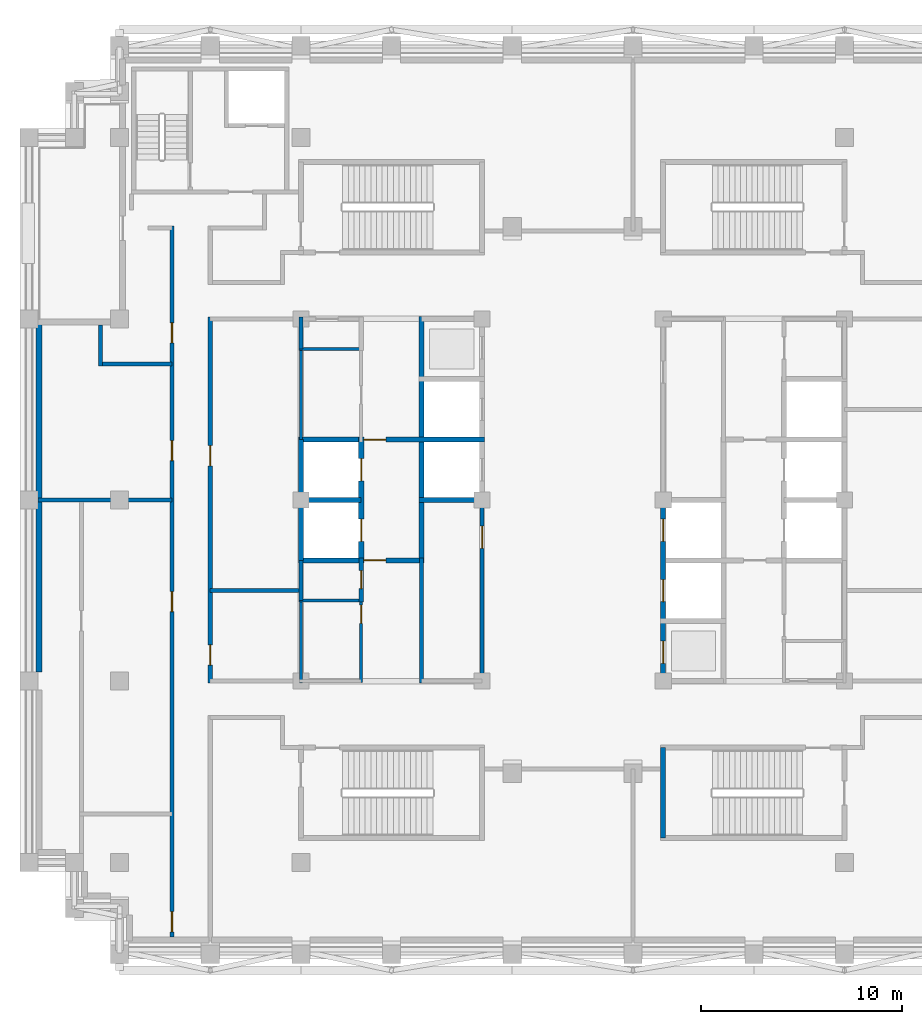
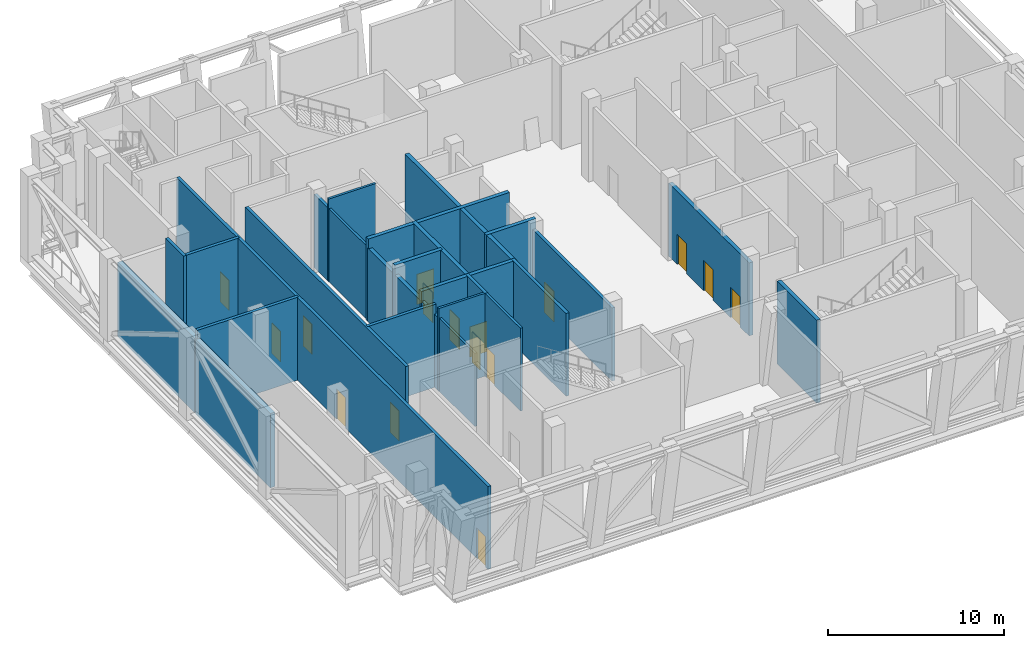
# One storey, part 4 of 11: 27 walls, 16 doors, 16 openings.
"""IFC4 building model written with IfcOpenShell, lengths in metres."""

from ifc_helpers import new_model, si_unit, direction, frame, frame_2d, origin, place, context, subcontext, project, spatial, rectangle, extrude, material, layer, layer_set, type_object, element, fill, save


model = new_model("IFC4")

# Units and contexts
model_context = context("Model", 3, precision=1e-05, world=origin(), true_north=direction((0.0, 1.0)))
body_context = subcontext(model_context, "Body", "Model", "MODEL_VIEW")
ifc_project = project(units=[si_unit("LENGTHUNIT", "METRE"), si_unit("AREAUNIT", "SQUARE_METRE"), si_unit("VOLUMEUNIT", "CUBIC_METRE"), si_unit("PLANEANGLEUNIT", "RADIAN"), si_unit("MASSUNIT", "GRAM", prefix="KILO")], contexts=[model_context])

# Site, building, storey
site_placement = place(None, origin())
site = spatial("IfcSite", under=ifc_project, at=site_placement, CompositionType="ELEMENT")
building_placement = place(site_placement, origin())
building = spatial("IfcBuilding", under=site, at=building_placement, Name="Corbelhall Arena Tower", CompositionType="ELEMENT")
storey_placement = place(building_placement, frame((0.0, 0.0, 294.0)))
storey = spatial("IfcBuildingStorey", under=building, at=storey_placement, Name="L64", CompositionType="ELEMENT", Elevation=294.0)

# Walls
ifc_material_1 = material(Name="Precast concrete C40/50 with granite facing", Category="masonry")
ifc_layer_1 = layer(ifc_material_1, 0.300048828125)
ifc_layer_set_1 = layer_set([ifc_layer_1], Name="EV-IW1 Infill panel 300")
wall_type_1 = type_object("IfcWallType", Name="EV-IW1 Infill panel 300", PredefinedType="SOLIDWALL", material=ifc_layer_set_1)
wall_1_placement = place(storey_placement, frame((-26.5, 8.75, 0.0), z_axis=(0.0, 0.0, 1.0), x_axis=(0.0, -1.0, 0.0)))
element("IfcWall", 1, at=wall_1_placement, inside=storey, type_object=wall_type_1, Name="Infill panel IW1", PredefinedType="SOLIDWALL", context=body_context, shape_type="SweptSolid", body=[
    extrude(rectangle(XDim=8.699951171875, YDim=0.300048828125, at=frame_2d((4.35009765625, 0.0))), origin(), (0.0, 0.0, 1.0), 5.139892578125),
])
wall_2_placement = place(storey_placement, frame((-26.5, -0.050048828125, 0.0), z_axis=(0.0, 0.0, 1.0), x_axis=(0.0, -1.0, 0.0)))
element("IfcWall", 2, at=wall_2_placement, inside=storey, type_object=wall_type_1, Name="Infill panel IW1", PredefinedType="SOLIDWALL", context=body_context, shape_type="SweptSolid", body=[
    extrude(rectangle(XDim=8.5, YDim=0.300048828125, at=frame_2d((4.25, 0.0))), origin(), (0.0, 0.0, 1.0), 5.139892578125),
])
ifc_material_2 = material(Name="Gypsum board on steel stud, acoustic", Category="steel")
ifc_layer_2 = layer(ifc_material_2, 0.199951171875)
ifc_layer_set_2 = layer_set([ifc_layer_2], Name="IN-W-DM200")
wall_type_2 = type_object("IfcWallType", Name="IN-W-DM200", PredefinedType="PARTITIONING", material=ifc_layer_set_2)
wall_3_placement = place(storey_placement, frame((-19.89990234375, 0.0, 0.0), z_axis=(0.0, 0.0, 1.0), x_axis=(-1.0, 0.0, 0.0)))
element("IfcWall", 3, at=wall_3_placement, inside=storey, type_object=wall_type_2, Name="Partition 003", PredefinedType="PARTITIONING", context=body_context, shape_type="SweptSolid", body=[
    extrude(rectangle(XDim=6.650146484375, YDim=0.199951171875, at=frame_2d((3.3251953125, 0.0))), origin(), (0.0, 0.0, 1.0), 5.739990234375),
])
wall_4_placement = place(storey_placement, frame((-23.449951171875, 6.75, 0.0), z_axis=(0.0, 0.0, 1.0), x_axis=(1.0, 0.0, 0.0)))
element("IfcWall", 4, at=wall_4_placement, inside=storey, type_object=wall_type_2, Name="Partition 004", PredefinedType="PARTITIONING", context=body_context, shape_type="SweptSolid", body=[
    extrude(rectangle(XDim=3.550048828125, YDim=0.199951171875, at=frame_2d((1.77490234375, 0.0))), origin(), (0.0, 0.0, 1.0), 5.739990234375),
])
wall_5_placement = place(storey_placement, frame((-23.449951171875, 8.699951171875, 0.0), z_axis=(0.0, 0.0, 1.0), x_axis=(0.0, -1.0, 0.0)))
element("IfcWall", 5, at=wall_5_placement, inside=storey, type_object=wall_type_2, Name="Partition 005", PredefinedType="PARTITIONING", context=body_context, shape_type="SweptSolid", body=[
    extrude(rectangle(XDim=2.050048828125, YDim=0.199951171875, at=frame_2d((1.02490234375, 0.0))), origin(), (0.0, 0.0, 1.0), 5.739990234375),
])

# Wall, openings, doors
wall_6_placement = place(storey_placement, frame((-19.89990234375, -21.699951171875, 0.0), z_axis=(0.0, 0.0, 1.0), x_axis=(0.0, 1.0, 0.0)))
wall_6 = element("IfcWall", 6, at=wall_6_placement, inside=storey, type_object=wall_type_2, Name="Partition 007", PredefinedType="PARTITIONING", context=body_context, shape_type="SweptSolid", body=[
    extrude(rectangle(XDim=35.300048828125, YDim=0.199951171875, at=frame_2d((17.64990234375, 0.0))), origin(), (0.0, 0.0, 1.0), 5.739990234375),
])
opening_1_placement = place(wall_6_placement, frame((23.64990234375, 0.0, 0.0)))
opening_1 = element("IfcOpeningElement", 7, at=opening_1_placement, cuts=wall_6, Name="Opening 29026", PredefinedType="OPENING", context=body_context, shape_type="SweptSolid", body=[
    extrude(rectangle(XDim=1.0, YDim=2.10009765625, at=frame_2d((0.5, 1.050048828125))), frame((0.0, 0.10009765625, 0.0), z_axis=(0.0, -1.0, 0.0), x_axis=(1.0, 0.0, 0.0)), (0.0, 0.0, 1.0), 0.199951171875),
])
opening_2_placement = place(wall_6_placement, frame((29.5, 0.0, 0.0)))
opening_2 = element("IfcOpeningElement", 8, at=opening_2_placement, cuts=wall_6, Name="Opening 29027", PredefinedType="OPENING", context=body_context, shape_type="SweptSolid", body=[
    extrude(rectangle(XDim=1.0, YDim=2.10009765625, at=frame_2d((0.5, 1.050048828125))), frame((0.0, 0.10009765625, 0.0), z_axis=(0.0, -1.0, 0.0), x_axis=(1.0, 0.0, 0.0)), (0.0, 0.0, 1.0), 0.199951171875),
])
opening_3_placement = place(wall_6_placement, frame((0.25, 0.0, 0.0)))
opening_3 = element("IfcOpeningElement", 9, at=opening_3_placement, cuts=wall_6, Name="Opening 29028", PredefinedType="OPENING", context=body_context, shape_type="SweptSolid", body=[
    extrude(rectangle(XDim=1.0, YDim=2.10009765625, at=frame_2d((0.5, 1.050048828125))), frame((0.0, 0.10009765625, 0.0), z_axis=(0.0, -1.0, 0.0), x_axis=(1.0, 0.0, 0.0)), (0.0, 0.0, 1.0), 0.199951171875),
])
opening_4_placement = place(wall_6_placement, frame((16.14990234375, 0.0, 0.0)))
opening_4 = element("IfcOpeningElement", 10, at=opening_4_placement, cuts=wall_6, Name="Opening 29029", PredefinedType="OPENING", context=body_context, shape_type="SweptSolid", body=[
    extrude(rectangle(XDim=1.0, YDim=2.10009765625, at=frame_2d((0.5, 1.050048828125))), frame((0.0, 0.10009765625, 0.0), z_axis=(0.0, -1.0, 0.0), x_axis=(1.0, 0.0, 0.0)), (0.0, 0.0, 1.0), 0.199951171875),
])
ifc_material_3 = material(Name="Steel door set", Category="steel")
door_type_1 = type_object("IfcDoorType", Name="IN-D-SW100", OperationType="NOTDEFINED", PredefinedType="DOOR", material=ifc_material_3)
door_1_placement = place(opening_1_placement, origin())
door_1 = element("IfcDoor", 11, at=door_1_placement, inside=storey, type_object=door_type_1, Name="Door 026", OperationType="SINGLE_SWING_LEFT", OverallHeight=2.10009765625, OverallWidth=1.0, PredefinedType="DOOR", context=body_context, shape_type="SweptSolid", body=[
    extrude(rectangle(XDim=1.0, YDim=2.10009765625, at=frame_2d((0.5, 1.050048828125))), frame((0.0, 0.02490234375, 0.0), z_axis=(0.0, -1.0, 0.0), x_axis=(1.0, 0.0, 0.0)), (0.0, 0.0, 1.0), 0.050048828125),
])
fill(opening_1, door_1)
door_2_placement = place(opening_2_placement, origin())
door_2 = element("IfcDoor", 12, at=door_2_placement, inside=storey, type_object=door_type_1, Name="Door 027", OperationType="SINGLE_SWING_RIGHT", OverallHeight=2.10009765625, OverallWidth=1.0, PredefinedType="DOOR", context=body_context, shape_type="SweptSolid", body=[
    extrude(rectangle(XDim=1.0, YDim=2.10009765625, at=frame_2d((0.5, 1.050048828125))), frame((0.0, 0.02490234375, 0.0), z_axis=(0.0, -1.0, 0.0), x_axis=(1.0, 0.0, 0.0)), (0.0, 0.0, 1.0), 0.050048828125),
])
fill(opening_2, door_2)
door_3_placement = place(opening_3_placement, origin())
door_3 = element("IfcDoor", 13, at=door_3_placement, inside=storey, type_object=door_type_1, Name="Door 028", OperationType="SINGLE_SWING_LEFT", OverallHeight=2.10009765625, OverallWidth=1.0, PredefinedType="DOOR", context=body_context, shape_type="SweptSolid", body=[
    extrude(rectangle(XDim=1.0, YDim=2.10009765625, at=frame_2d((0.5, 1.050048828125))), frame((0.0, 0.02490234375, 0.0), z_axis=(0.0, -1.0, 0.0), x_axis=(1.0, 0.0, 0.0)), (0.0, 0.0, 1.0), 0.050048828125),
])
fill(opening_3, door_3)
door_4_placement = place(opening_4_placement, origin())
door_4 = element("IfcDoor", 14, at=door_4_placement, inside=storey, type_object=door_type_1, Name="Door 029", OperationType="SINGLE_SWING_RIGHT", OverallHeight=2.10009765625, OverallWidth=1.0, PredefinedType="DOOR", context=body_context, shape_type="SweptSolid", body=[
    extrude(rectangle(XDim=1.0, YDim=2.10009765625, at=frame_2d((0.5, 1.050048828125))), frame((0.0, 0.02490234375, 0.0), z_axis=(0.0, -1.0, 0.0), x_axis=(1.0, 0.0, 0.0)), (0.0, 0.0, 1.0), 0.050048828125),
])
fill(opening_4, door_4)

# Wall
wall_7_placement = place(storey_placement, frame((-18.0, -4.5, 0.0), z_axis=(0.0, 0.0, 1.0), x_axis=(1.0, 0.0, 0.0)))
element("IfcWall", 15, at=wall_7_placement, inside=storey, type_object=wall_type_2, Name="Partition 011", PredefinedType="PARTITIONING", context=body_context, shape_type="SweptSolid", body=[
    extrude(rectangle(XDim=4.5, YDim=0.199951171875, at=frame_2d((2.25, 0.0))), origin(), (0.0, 0.0, 1.0), 5.739990234375),
])

# Wall, openings, doors
wall_8_placement = place(storey_placement, frame((-18.0, 9.10009765625, 0.0), z_axis=(0.0, 0.0, 1.0), x_axis=(0.0, -1.0, 0.0)))
wall_8 = element("IfcWall", 16, at=wall_8_placement, inside=storey, type_object=wall_type_2, Name="Partition 012", PredefinedType="PARTITIONING", context=body_context, shape_type="SweptSolid", body=[
    extrude(rectangle(XDim=18.2001953125, YDim=0.199951171875, at=frame_2d((9.10009765625, 0.0))), origin(), (0.0, 0.0, 1.0), 5.739990234375),
])
opening_5_placement = place(wall_8_placement, frame((16.300048828125, 0.0, 0.0)))
opening_5 = element("IfcOpeningElement", 17, at=opening_5_placement, cuts=wall_8, Name="Opening 29017", PredefinedType="OPENING", context=body_context, shape_type="SweptSolid", body=[
    extrude(rectangle(XDim=1.0, YDim=2.10009765625, at=frame_2d((0.5, 1.050048828125))), frame((0.0, 0.10009765625, 0.0), z_axis=(0.0, -1.0, 0.0), x_axis=(1.0, 0.0, 0.0)), (0.0, 0.0, 1.0), 0.199951171875),
])
opening_6_placement = place(wall_8_placement, frame((6.39990234375, 0.0, 0.0)))
opening_6 = element("IfcOpeningElement", 18, at=opening_6_placement, cuts=wall_8, Name="Opening 29018", PredefinedType="OPENING", context=body_context, shape_type="SweptSolid", body=[
    extrude(rectangle(XDim=1.0, YDim=2.10009765625, at=frame_2d((0.5, 1.050048828125))), frame((0.0, 0.10009765625, 0.0), z_axis=(0.0, -1.0, 0.0), x_axis=(1.0, 0.0, 0.0)), (0.0, 0.0, 1.0), 0.199951171875),
])
door_5_placement = place(opening_5_placement, origin())
door_5 = element("IfcDoor", 19, at=door_5_placement, inside=storey, type_object=door_type_1, Name="Door 017", OperationType="SINGLE_SWING_RIGHT", OverallHeight=2.10009765625, OverallWidth=1.0, PredefinedType="DOOR", context=body_context, shape_type="SweptSolid", body=[
    extrude(rectangle(XDim=1.0, YDim=2.10009765625, at=frame_2d((0.5, 1.050048828125))), frame((0.0, 0.02490234375, 0.0), z_axis=(0.0, -1.0, 0.0), x_axis=(1.0, 0.0, 0.0)), (0.0, 0.0, 1.0), 0.050048828125),
])
fill(opening_5, door_5)
door_6_placement = place(opening_6_placement, origin())
door_6 = element("IfcDoor", 20, at=door_6_placement, inside=storey, type_object=door_type_1, Name="Door 018", OperationType="SINGLE_SWING_LEFT", OverallHeight=2.10009765625, OverallWidth=1.0, PredefinedType="DOOR", context=body_context, shape_type="SweptSolid", body=[
    extrude(rectangle(XDim=1.0, YDim=2.10009765625, at=frame_2d((0.5, 1.050048828125))), frame((0.0, 0.02490234375, 0.0), z_axis=(0.0, -1.0, 0.0), x_axis=(1.0, 0.0, 0.0)), (0.0, 0.0, 1.0), 0.050048828125),
])
fill(opening_6, door_6)

# Wall, opening, door
ifc_material_4 = material(Name="Concrete block wall", Category="concrete")
ifc_layer_3 = layer(ifc_material_4, 0.199951171875)
ifc_layer_set_3 = layer_set([ifc_layer_3], Name="IN-W-RS200")
wall_type_3 = type_object("IfcWallType", Name="IN-W-RS200", PredefinedType="SOLIDWALL", material=ifc_layer_set_3)
wall_9_placement = place(storey_placement, frame((-10.5, -5.074951171875, 0.0), z_axis=(0.0, 0.0, 1.0), x_axis=(0.0, 1.0, 0.0)))
wall_9 = element("IfcWall", 21, at=wall_9_placement, inside=storey, type_object=wall_type_3, Name="Partition 048", PredefinedType="SOLIDWALL", context=body_context, shape_type="SweptSolid", body=[
    extrude(rectangle(XDim=2.199951171875, YDim=0.199951171875, at=frame_2d((1.10009765625, 0.0))), origin(), (0.0, 0.0, 1.0), 5.739990234375),
])
opening_7_placement = place(wall_9_placement, frame((0.669921875, 0.0, 0.0)))
opening_7 = element("IfcOpeningElement", 22, at=opening_7_placement, cuts=wall_9, Name="Opening 29036", PredefinedType="OPENING", context=body_context, shape_type="SweptSolid", body=[
    extrude(rectangle(XDim=0.89990234375, YDim=2.10009765625, at=frame_2d((0.449951171875, 1.050048828125))), frame((0.0, 0.10009765625, 0.0), z_axis=(0.0, -1.0, 0.0), x_axis=(1.0, 0.0, 0.0)), (0.0, 0.0, 1.0), 0.199951171875),
])
ifc_material_5 = material(Name="Timber door set", Category="wood")
door_type_2 = type_object("IfcDoorType", Name="IN-D-SW90", OperationType="NOTDEFINED", PredefinedType="DOOR", material=ifc_material_5)
door_7_placement = place(opening_7_placement, origin())
door_7 = element("IfcDoor", 23, at=door_7_placement, inside=storey, type_object=door_type_2, Name="Door 036", OperationType="SINGLE_SWING_LEFT", OverallHeight=2.10009765625, OverallWidth=0.89990234375, PredefinedType="DOOR", context=body_context, shape_type="SweptSolid", body=[
    extrude(rectangle(XDim=0.89990234375, YDim=2.10009765625, at=frame_2d((0.449951171875, 1.050048828125))), frame((0.0, 0.02490234375, 0.0), z_axis=(0.0, -1.0, 0.0), x_axis=(1.0, 0.0, 0.0)), (0.0, 0.0, 1.0), 0.050048828125),
])
fill(opening_7, door_7)

# Walls
wall_10_placement = place(storey_placement, frame((-7.5, -9.10009765625, 0.0), z_axis=(0.0, 0.0, 1.0), x_axis=(0.0, 1.0, 0.0)))
element("IfcWall", 24, at=wall_10_placement, inside=storey, type_object=wall_type_3, Name="Partition 050", PredefinedType="SOLIDWALL", context=body_context, shape_type="SweptSolid", body=[
    extrude(rectangle(XDim=6.22509765625, YDim=0.199951171875, at=frame_2d((3.112548828125, 0.0))), origin(), (0.0, 0.0, 1.0), 5.739990234375),
])
ifc_layer_4 = layer(ifc_material_4, 0.199951171875)
ifc_layer_set_4 = layer_set([ifc_layer_4], Name="IN-W-RS200 under beam 678 mm")
wall_type_4 = type_object("IfcWallType", Name="IN-W-RS200 under beam 678 mm", PredefinedType="SOLIDWALL", material=ifc_layer_set_4)
wall_11_placement = place(storey_placement, frame((-13.5, -5.0, 0.0), z_axis=(0.0, 0.0, 1.0), x_axis=(0.0, 1.0, 0.0)))
element("IfcWall", 25, at=wall_11_placement, inside=storey, type_object=wall_type_4, Name="Partition 046", PredefinedType="SOLIDWALL", context=body_context, shape_type="SweptSolid", body=[
    extrude(rectangle(XDim=2.0, YDim=0.199951171875, at=frame_2d((1.0, 0.0))), origin(), (0.0, 0.0, 1.0), 5.061767578125),
])
wall_12_placement = place(storey_placement, frame((-13.5, 7.5, 0.0), z_axis=(0.0, 0.0, 1.0), x_axis=(0.0, 1.0, 0.0)))
element("IfcWall", 26, at=wall_12_placement, inside=storey, type_object=wall_type_4, Name="Partition 047", PredefinedType="SOLIDWALL", context=body_context, shape_type="SweptSolid", body=[
    extrude(rectangle(XDim=1.60009765625, YDim=0.199951171875, at=frame_2d((0.800048828125, 0.0))), origin(), (0.0, 0.0, 1.0), 5.061767578125),
])

# Wall, opening, door
wall_13_placement = place(storey_placement, frame((-4.5, 0.0, 0.0), z_axis=(0.0, 0.0, 1.0), x_axis=(0.0, -1.0, 0.0)))
wall_13 = element("IfcWall", 27, at=wall_13_placement, inside=storey, type_object=wall_type_4, Name="Partition 052", PredefinedType="SOLIDWALL", context=body_context, shape_type="SweptSolid", body=[
    extrude(rectangle(XDim=9.10009765625, YDim=0.199951171875, at=frame_2d((4.550048828125, 0.0))), origin(), (0.0, 0.0, 1.0), 5.061767578125),
])
opening_8_placement = place(wall_13_placement, frame((1.300048828125, 0.0, 0.0)))
opening_8 = element("IfcOpeningElement", 28, at=opening_8_placement, cuts=wall_13, Name="Opening 29001", PredefinedType="OPENING", context=body_context, shape_type="SweptSolid", body=[
    extrude(rectangle(XDim=1.10009765625, YDim=2.10009765625, at=frame_2d((0.550048828125, 1.050048828125))), frame((0.0, 0.10009765625, 0.0), z_axis=(0.0, -1.0, 0.0), x_axis=(1.0, 0.0, 0.0)), (0.0, 0.0, 1.0), 0.199951171875),
])
door_type_3 = type_object("IfcDoorType", Name="IN-D-FD110", OperationType="NOTDEFINED", PredefinedType="DOOR", material=ifc_material_3)
door_8_placement = place(opening_8_placement, origin())
door_8 = element("IfcDoor", 29, at=door_8_placement, inside=storey, type_object=door_type_3, Name="Door 001", OperationType="SINGLE_SWING_RIGHT", OverallHeight=2.10009765625, OverallWidth=1.10009765625, PredefinedType="DOOR", context=body_context, shape_type="SweptSolid", body=[
    extrude(rectangle(XDim=1.10009765625, YDim=2.10009765625, at=frame_2d((0.550048828125, 1.050048828125))), frame((0.0, 0.02490234375, 0.0), z_axis=(0.0, -1.0, 0.0), x_axis=(1.0, 0.0, 0.0)), (0.0, 0.0, 1.0), 0.050048828125),
])
fill(opening_8, door_8)

# Wall
ifc_material_6 = material(Name="Concrete C40/50", Category="concrete")
ifc_layer_5 = layer(ifc_material_6, 0.25)
ifc_layer_set_5 = layer_set([ifc_layer_5], Name="IN-W-SH250")
wall_type_5 = type_object("IfcWallType", Name="IN-W-SH250", PredefinedType="SOLIDWALL", material=ifc_layer_set_5)
wall_14_placement = place(storey_placement, frame((-13.625, 0.0, 0.0), z_axis=(0.0, 0.0, 1.0), x_axis=(1.0, 0.0, 0.0)))
element("IfcWall", 30, at=wall_14_placement, inside=storey, type_object=wall_type_5, Name="Shaft wall 061", PredefinedType="SOLIDWALL", context=body_context, shape_type="SweptSolid", body=[
    extrude(rectangle(XDim=3.125, YDim=0.25, at=frame_2d((1.5625, 0.0))), origin(), (0.0, 0.0, 1.0), 5.739990234375),
])

# Wall, opening, door
wall_15_placement = place(storey_placement, frame((-13.625, 3.0, 0.0), z_axis=(0.0, 0.0, 1.0), x_axis=(1.0, 0.0, 0.0)))
wall_15 = element("IfcWall", 31, at=wall_15_placement, inside=storey, type_object=wall_type_5, Name="Shaft wall 062", PredefinedType="SOLIDWALL", context=body_context, shape_type="SweptSolid", body=[
    extrude(rectangle(XDim=9.25, YDim=0.25, at=frame_2d((4.625, 0.0))), origin(), (0.0, 0.0, 1.0), 5.739990234375),
])
opening_9_placement = place(wall_15_placement, frame((3.25, 0.0, 0.0)))
opening_9 = element("IfcOpeningElement", 32, at=opening_9_placement, cuts=wall_15, Name="Opening 29003", PredefinedType="OPENING", context=body_context, shape_type="SweptSolid", body=[
    extrude(rectangle(XDim=1.10009765625, YDim=2.10009765625, at=frame_2d((0.550048828125, 1.050048828125))), frame((0.0, 0.125, 0.0), z_axis=(0.0, -1.0, 0.0), x_axis=(1.0, 0.0, 0.0)), (0.0, 0.0, 1.0), 0.25),
])
door_9_placement = place(opening_9_placement, origin())
door_9 = element("IfcDoor", 33, at=door_9_placement, inside=storey, type_object=door_type_3, Name="Door 003", OperationType="SINGLE_SWING_RIGHT", OverallHeight=2.10009765625, OverallWidth=1.10009765625, PredefinedType="DOOR", context=body_context, shape_type="SweptSolid", body=[
    extrude(rectangle(XDim=1.10009765625, YDim=2.10009765625, at=frame_2d((0.550048828125, 1.050048828125))), frame((0.0, 0.02490234375, 0.0), z_axis=(0.0, -1.0, 0.0), x_axis=(1.0, 0.0, 0.0)), (0.0, 0.0, 1.0), 0.050048828125),
])
fill(opening_9, door_9)

wall_16_placement = place(storey_placement, frame((-13.625, -3.0, 0.0), z_axis=(0.0, 0.0, 1.0), x_axis=(1.0, 0.0, 0.0)))
wall_16 = element("IfcWall", 34, at=wall_16_placement, inside=storey, type_object=wall_type_5, Name="Shaft wall 064", PredefinedType="SOLIDWALL", context=body_context, shape_type="SweptSolid", body=[
    extrude(rectangle(XDim=6.125, YDim=0.25, at=frame_2d((3.0625, 0.0))), origin(), (0.0, 0.0, 1.0), 5.739990234375),
])
opening_10_placement = place(wall_16_placement, frame((3.25, 0.0, 0.0)))
opening_10 = element("IfcOpeningElement", 35, at=opening_10_placement, cuts=wall_16, Name="Opening 29002", PredefinedType="OPENING", context=body_context, shape_type="SweptSolid", body=[
    extrude(rectangle(XDim=1.10009765625, YDim=2.10009765625, at=frame_2d((0.550048828125, 1.050048828125))), frame((0.0, 0.125, 0.0), z_axis=(0.0, -1.0, 0.0), x_axis=(1.0, 0.0, 0.0)), (0.0, 0.0, 1.0), 0.25),
])
door_10_placement = place(opening_10_placement, origin())
door_10 = element("IfcDoor", 36, at=door_10_placement, inside=storey, type_object=door_type_3, Name="Door 002", OperationType="SINGLE_SWING_LEFT", OverallHeight=2.10009765625, OverallWidth=1.10009765625, PredefinedType="DOOR", context=body_context, shape_type="SweptSolid", body=[
    extrude(rectangle(XDim=1.10009765625, YDim=2.10009765625, at=frame_2d((0.550048828125, 1.050048828125))), frame((0.0, 0.02490234375, 0.0), z_axis=(0.0, -1.0, 0.0), x_axis=(1.0, 0.0, 0.0)), (0.0, 0.0, 1.0), 0.050048828125),
])
fill(opening_10, door_10)

# Wall, openings, doors
wall_17_placement = place(storey_placement, frame((-10.5, -3.125, 0.0), z_axis=(0.0, 0.0, 1.0), x_axis=(0.0, 1.0, 0.0)))
wall_17 = element("IfcWall", 37, at=wall_17_placement, inside=storey, type_object=wall_type_5, Name="Shaft wall 065", PredefinedType="SOLIDWALL", context=body_context, shape_type="SweptSolid", body=[
    extrude(rectangle(XDim=6.25, YDim=0.25, at=frame_2d((3.125, 0.0))), origin(), (0.0, 0.0, 1.0), 5.739990234375),
])
opening_11_placement = place(wall_17_placement, frame((1.074951171875, 0.0, 0.0)))
opening_11 = element("IfcOpeningElement", 38, at=opening_11_placement, cuts=wall_17, Name="Opening LD", PredefinedType="OPENING", context=body_context, shape_type="SweptSolid", body=[
    extrude(rectangle(XDim=1.10009765625, YDim=2.10009765625, at=frame_2d((0.550048828125, 1.050048828125))), frame((0.0, 0.125, 0.0), z_axis=(0.0, -1.0, 0.0), x_axis=(1.0, 0.0, 0.0)), (0.0, 0.0, 1.0), 0.25),
])
opening_12_placement = place(wall_17_placement, frame((4.074951171875, 0.0, 0.0)))
opening_12 = element("IfcOpeningElement", 39, at=opening_12_placement, cuts=wall_17, Name="Opening LD", PredefinedType="OPENING", context=body_context, shape_type="SweptSolid", body=[
    extrude(rectangle(XDim=1.10009765625, YDim=2.10009765625, at=frame_2d((0.550048828125, 1.050048828125))), frame((0.0, 0.125, 0.0), z_axis=(0.0, -1.0, 0.0), x_axis=(1.0, 0.0, 0.0)), (0.0, 0.0, 1.0), 0.25),
])
door_type_4 = type_object("IfcDoorType", Name="IN-D-LD110", OperationType="NOTDEFINED", PredefinedType="DOOR", material=ifc_material_3)
door_11_placement = place(opening_11_placement, origin())
door_11 = element("IfcDoor", 40, at=door_11_placement, inside=storey, type_object=door_type_4, Name="Landing door W3", OperationType="SLIDING_TO_LEFT", OverallHeight=2.10009765625, OverallWidth=1.10009765625, PredefinedType="DOOR", context=body_context, shape_type="SweptSolid", body=[
    extrude(rectangle(XDim=1.10009765625, YDim=2.10009765625, at=frame_2d((0.550048828125, 1.050048828125))), frame((0.0, 0.02490234375, 0.0), z_axis=(0.0, -1.0, 0.0), x_axis=(1.0, 0.0, 0.0)), (0.0, 0.0, 1.0), 0.050048828125),
])
fill(opening_11, door_11)
door_12_placement = place(opening_12_placement, origin())
door_12 = element("IfcDoor", 41, at=door_12_placement, inside=storey, type_object=door_type_4, Name="Landing door W4", OperationType="SLIDING_TO_LEFT", OverallHeight=2.10009765625, OverallWidth=1.10009765625, PredefinedType="DOOR", context=body_context, shape_type="SweptSolid", body=[
    extrude(rectangle(XDim=1.10009765625, YDim=2.10009765625, at=frame_2d((0.550048828125, 1.050048828125))), frame((0.0, 0.02490234375, 0.0), z_axis=(0.0, -1.0, 0.0), x_axis=(1.0, 0.0, 0.0)), (0.0, 0.0, 1.0), 0.050048828125),
])
fill(opening_12, door_12)

# Walls
wall_18_placement = place(storey_placement, frame((-7.625, 0.0, 0.0), z_axis=(0.0, 0.0, 1.0), x_axis=(1.0, 0.0, 0.0)))
element("IfcWall", 42, at=wall_18_placement, inside=storey, type_object=wall_type_5, Name="Shaft wall 066", PredefinedType="SOLIDWALL", context=body_context, shape_type="SweptSolid", body=[
    extrude(rectangle(XDim=3.25, YDim=0.25, at=frame_2d((1.625, 0.0))), origin(), (0.0, 0.0, 1.0), 5.739990234375),
])
wall_19_placement = place(storey_placement, frame((-7.5, -3.125, 0.0), z_axis=(0.0, 0.0, 1.0), x_axis=(0.0, 1.0, 0.0)))
element("IfcWall", 43, at=wall_19_placement, inside=storey, type_object=wall_type_5, Name="Shaft wall 068", PredefinedType="SOLIDWALL", context=body_context, shape_type="SweptSolid", body=[
    extrude(rectangle(XDim=12.25, YDim=0.25, at=frame_2d((6.125, 0.0))), origin(), (0.0, 0.0, 1.0), 5.739990234375),
])
ifc_layer_6 = layer(ifc_material_6, 0.25)
ifc_layer_set_6 = layer_set([ifc_layer_6], Name="IN-W-SH250 under beam 678 mm")
wall_type_6 = type_object("IfcWallType", Name="IN-W-SH250 under beam 678 mm", PredefinedType="SOLIDWALL", material=ifc_layer_set_6)
wall_20_placement = place(storey_placement, frame((-13.5, -3.0, 0.0), z_axis=(0.0, 0.0, 1.0), x_axis=(0.0, 1.0, 0.0)))
element("IfcWall", 44, at=wall_20_placement, inside=storey, type_object=wall_type_6, Name="Shaft wall 063", PredefinedType="SOLIDWALL", context=body_context, shape_type="SweptSolid", body=[
    extrude(rectangle(XDim=6.0, YDim=0.25, at=frame_2d((3.0, 0.0))), origin(), (0.0, 0.0, 1.0), 5.061767578125),
])

# Wall, openings, doors
wall_21_placement = place(storey_placement, frame((4.5, -9.125, 0.0), z_axis=(0.0, 0.0, 1.0), x_axis=(0.0, 1.0, 0.0)))
wall_21 = element("IfcWall", 45, at=wall_21_placement, inside=storey, type_object=wall_type_6, Name="Shaft wall 074", PredefinedType="SOLIDWALL", context=body_context, shape_type="SweptSolid", body=[
    extrude(rectangle(XDim=9.125, YDim=0.25, at=frame_2d((4.5625, 0.0))), origin(), (0.0, 0.0, 1.0), 5.061767578125),
])
opening_13_placement = place(wall_21_placement, frame((1.012451171875, 0.0, 0.0)))
opening_13 = element("IfcOpeningElement", 46, at=opening_13_placement, cuts=wall_21, Name="Opening LD", PredefinedType="OPENING", context=body_context, shape_type="SweptSolid", body=[
    extrude(rectangle(XDim=1.10009765625, YDim=2.10009765625, at=frame_2d((0.550048828125, 1.050048828125))), frame((0.0, 0.125, 0.0), z_axis=(0.0, -1.0, 0.0), x_axis=(1.0, 0.0, 0.0)), (0.0, 0.0, 1.0), 0.25),
])
opening_14_placement = place(wall_21_placement, frame((4.074951171875, 0.0, 0.0)))
opening_14 = element("IfcOpeningElement", 47, at=opening_14_placement, cuts=wall_21, Name="Opening LD", PredefinedType="OPENING", context=body_context, shape_type="SweptSolid", body=[
    extrude(rectangle(XDim=1.10009765625, YDim=2.10009765625, at=frame_2d((0.550048828125, 1.050048828125))), frame((0.0, 0.125, 0.0), z_axis=(0.0, -1.0, 0.0), x_axis=(1.0, 0.0, 0.0)), (0.0, 0.0, 1.0), 0.25),
])
opening_15_placement = place(wall_21_placement, frame((7.074951171875, 0.0, 0.0)))
opening_15 = element("IfcOpeningElement", 48, at=opening_15_placement, cuts=wall_21, Name="Opening LD", PredefinedType="OPENING", context=body_context, shape_type="SweptSolid", body=[
    extrude(rectangle(XDim=1.10009765625, YDim=2.10009765625, at=frame_2d((0.550048828125, 1.050048828125))), frame((0.0, 0.125, 0.0), z_axis=(0.0, -1.0, 0.0), x_axis=(1.0, 0.0, 0.0)), (0.0, 0.0, 1.0), 0.25),
])
door_13_placement = place(opening_13_placement, origin())
door_13 = element("IfcDoor", 49, at=door_13_placement, inside=storey, type_object=door_type_4, Name="Landing door E1", OperationType="SLIDING_TO_LEFT", OverallHeight=2.10009765625, OverallWidth=1.10009765625, PredefinedType="DOOR", context=body_context, shape_type="SweptSolid", body=[
    extrude(rectangle(XDim=1.10009765625, YDim=2.10009765625, at=frame_2d((0.550048828125, 1.050048828125))), frame((0.0, 0.02490234375, 0.0), z_axis=(0.0, -1.0, 0.0), x_axis=(1.0, 0.0, 0.0)), (0.0, 0.0, 1.0), 0.050048828125),
])
fill(opening_13, door_13)
door_14_placement = place(opening_14_placement, origin())
door_14 = element("IfcDoor", 50, at=door_14_placement, inside=storey, type_object=door_type_4, Name="Landing door E2", OperationType="SLIDING_TO_LEFT", OverallHeight=2.10009765625, OverallWidth=1.10009765625, PredefinedType="DOOR", context=body_context, shape_type="SweptSolid", body=[
    extrude(rectangle(XDim=1.10009765625, YDim=2.10009765625, at=frame_2d((0.550048828125, 1.050048828125))), frame((0.0, 0.02490234375, 0.0), z_axis=(0.0, -1.0, 0.0), x_axis=(1.0, 0.0, 0.0)), (0.0, 0.0, 1.0), 0.050048828125),
])
fill(opening_14, door_14)
door_15_placement = place(opening_15_placement, origin())
door_15 = element("IfcDoor", 51, at=door_15_placement, inside=storey, type_object=door_type_4, Name="Landing door E3", OperationType="SLIDING_TO_LEFT", OverallHeight=2.10009765625, OverallWidth=1.10009765625, PredefinedType="DOOR", context=body_context, shape_type="SweptSolid", body=[
    extrude(rectangle(XDim=1.10009765625, YDim=2.10009765625, at=frame_2d((0.550048828125, 1.050048828125))), frame((0.0, 0.02490234375, 0.0), z_axis=(0.0, -1.0, 0.0), x_axis=(1.0, 0.0, 0.0)), (0.0, 0.0, 1.0), 0.050048828125),
])
fill(opening_15, door_15)

# Walls
ifc_layer_7 = layer(ifc_material_6, 0.25)
ifc_layer_set_7 = layer_set([ifc_layer_7], Name="IN-W-ST250")
wall_type_7 = type_object("IfcWallType", Name="IN-W-ST250", PredefinedType="SOLIDWALL", material=ifc_layer_set_7)
wall_22_placement = place(storey_placement, frame((4.5, -16.800048828125, 0.0), z_axis=(0.0, 0.0, 1.0), x_axis=(0.0, 1.0, 0.0)))
element("IfcWall", 52, at=wall_22_placement, inside=storey, type_object=wall_type_7, Name="Shaft wall 092", PredefinedType="SOLIDWALL", context=body_context, shape_type="SweptSolid", body=[
    extrude(rectangle(XDim=4.5, YDim=0.25, at=frame_2d((2.25, 0.0))), origin(), (0.0, 0.0, 1.0), 5.739990234375),
])
ifc_material_7 = material(Name="Gypsum board on steel stud, moisture resistant", Category="steel")
ifc_layer_8 = layer(ifc_material_7, 0.14990234375)
ifc_layer_set_8 = layer_set([ifc_layer_8], Name="IN-W-WC150")
wall_type_8 = type_object("IfcWallType", Name="IN-W-WC150", PredefinedType="PARTITIONING", material=ifc_layer_set_8)
for number, where, z_axis, x_axis, name in (
    (53, (-13.60009765625, -5.0, 0.0), (0.0, 0.0, 1.0), (1.0, 0.0, 0.0), "Partition 098"),
    (54, (-13.60009765625, 7.5, 0.0), (0.0, 0.0, 1.0), (1.0, 0.0, 0.0), "Partition 099"),
):
    element("IfcWall", number, at=place(storey_placement, frame(where, z_axis=z_axis, x_axis=x_axis)), inside=storey, type_object=wall_type_8, Name=name, PredefinedType="PARTITIONING", context=body_context, shape_type="SweptSolid", body=[
        extrude(rectangle(XDim=3.10009765625, YDim=0.14990234375, at=frame_2d((1.550048828125, 0.0))), origin(), (0.0, 0.0, 1.0), 5.739990234375),
    ])

# Wall, opening, door
wall_23_placement = place(storey_placement, frame((-10.5, -9.074951171875, 0.0), z_axis=(0.0, 0.0, 1.0), x_axis=(0.0, 1.0, 0.0)))
wall_23 = element("IfcWall", 55, at=wall_23_placement, inside=storey, type_object=wall_type_8, Name="Partition 102", PredefinedType="PARTITIONING", context=body_context, shape_type="SweptSolid", body=[
    extrude(rectangle(XDim=4.14990234375, YDim=0.14990234375, at=frame_2d((2.074951171875, 0.0))), origin(), (0.0, 0.0, 1.0), 5.739990234375),
])
opening_16_placement = place(wall_23_placement, frame((2.949951171875, 0.0, 0.0)))
opening_16 = element("IfcOpeningElement", 56, at=opening_16_placement, cuts=wall_23, Name="Opening 29004", PredefinedType="OPENING", context=body_context, shape_type="SweptSolid", body=[
    extrude(rectangle(XDim=0.89990234375, YDim=2.10009765625, at=frame_2d((0.449951171875, 1.050048828125))), frame((0.0, 0.074951171875, 0.0), z_axis=(0.0, -1.0, 0.0), x_axis=(1.0, 0.0, 0.0)), (0.0, 0.0, 1.0), 0.14990234375),
])
door_16_placement = place(opening_16_placement, origin())
door_16 = element("IfcDoor", 57, at=door_16_placement, inside=storey, type_object=door_type_2, Name="Door 004", OperationType="SINGLE_SWING_LEFT", OverallHeight=2.10009765625, OverallWidth=0.89990234375, PredefinedType="DOOR", context=body_context, shape_type="SweptSolid", body=[
    extrude(rectangle(XDim=0.89990234375, YDim=2.10009765625, at=frame_2d((0.449951171875, 1.050048828125))), frame((0.0, 0.02490234375, 0.0), z_axis=(0.0, -1.0, 0.0), x_axis=(1.0, 0.0, 0.0)), (0.0, 0.0, 1.0), 0.050048828125),
])
fill(opening_16, door_16)

# Walls
ifc_layer_9 = layer(ifc_material_7, 0.14990234375)
ifc_layer_set_9 = layer_set([ifc_layer_9], Name="IN-W-WC150 under beam 678 mm")
wall_type_9 = type_object("IfcWallType", Name="IN-W-WC150 under beam 678 mm", PredefinedType="PARTITIONING", material=ifc_layer_set_9)
wall_24_placement = place(storey_placement, frame((-13.5, -9.10009765625, 0.0), z_axis=(0.0, 0.0, 1.0), x_axis=(0.0, 1.0, 0.0)))
element("IfcWall", 58, at=wall_24_placement, inside=storey, type_object=wall_type_9, Name="Partition 100", PredefinedType="PARTITIONING", context=body_context, shape_type="SweptSolid", body=[
    extrude(rectangle(XDim=4.10009765625, YDim=0.14990234375, at=frame_2d((2.050048828125, 0.0))), origin(), (0.0, 0.0, 1.0), 5.061767578125),
])
wall_25_placement = place(storey_placement, frame((-13.5, 3.0, 0.0), z_axis=(0.0, 0.0, 1.0), x_axis=(0.0, 1.0, 0.0)))
element("IfcWall", 59, at=wall_25_placement, inside=storey, type_object=wall_type_9, Name="Partition 101", PredefinedType="PARTITIONING", context=body_context, shape_type="SweptSolid", body=[
    extrude(rectangle(XDim=4.5, YDim=0.14990234375, at=frame_2d((2.25, 0.0))), origin(), (0.0, 0.0, 1.0), 5.061767578125),
])

save(model, "model.ifc")
